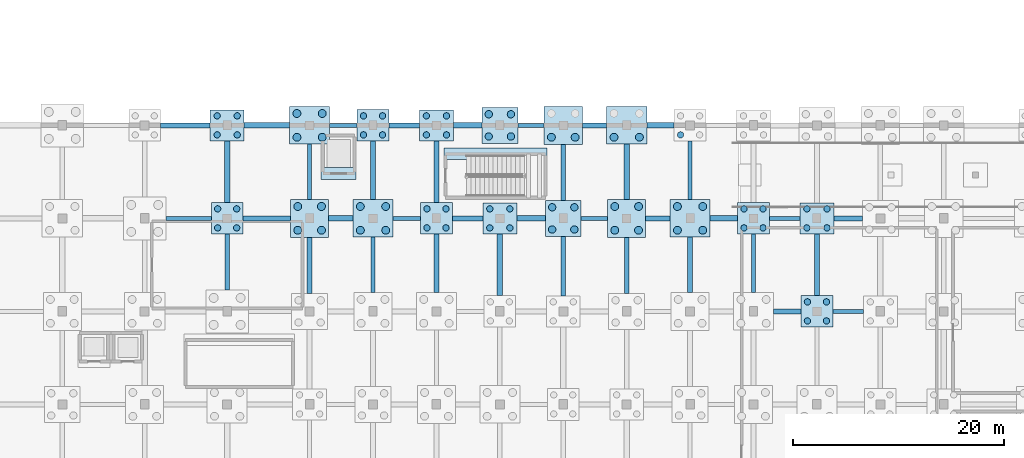
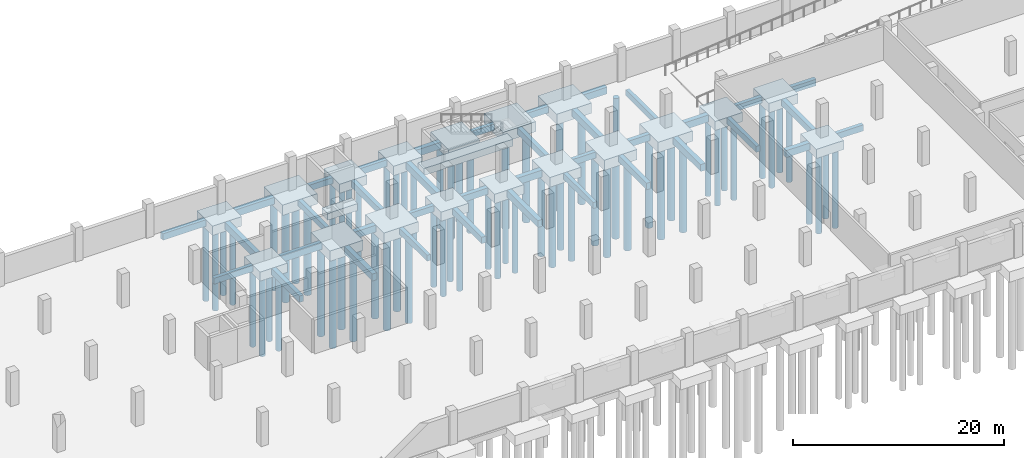
# One storey, part 6 of 28: 69 piles, 58 footings.
"""IFC4 building model written with IfcOpenShell, lengths in metres."""

from ifc_helpers import new_model, si_unit, direction, frame, origin, origin_2d, place, context, subcontext, project, spatial, rectangle, circle, extrude, material, material_profile, profile_set, type_object, element, save


model = new_model("IFC4")

# Units and contexts
model_context = context("Model", 3, precision=1e-05, world=origin(), true_north=direction((0.0, 1.0)))
body_context = subcontext(model_context, "Body", "Model", "MODEL_VIEW")
ifc_project = project(units=[si_unit("LENGTHUNIT", "METRE"), si_unit("AREAUNIT", "SQUARE_METRE"), si_unit("VOLUMEUNIT", "CUBIC_METRE"), si_unit("PLANEANGLEUNIT", "RADIAN"), si_unit("MASSUNIT", "GRAM", prefix="KILO")], contexts=[model_context])

# Site, building, storey
site_placement = place(None, origin())
site = spatial("IfcSite", under=ifc_project, at=site_placement, CompositionType="ELEMENT")
building_placement = place(site_placement, origin())
building = spatial("IfcBuilding", under=site, at=building_placement, Name="Varnakota Cinema and Media Centre", CompositionType="ELEMENT")
storey_placement = place(building_placement, frame((0.0, 0.0, -4.199951171875)))
storey = spatial("IfcBuildingStorey", under=building, at=storey_placement, Name="B1", CompositionType="ELEMENT", Elevation=-4.199951171875)

# Footings
ifc_material_1 = material(Name="Concrete M35", Category="concrete")
ifc_material_profile_1 = material_profile(ifc_material_1, rectangle(XDim=0.39990234375, YDim=0.699951171875, at=origin_2d()), Name="FB 400x700")
ifc_profile_set_1 = profile_set([ifc_material_profile_1], Name="Concrete M35")
footing_type_1 = type_object("IfcFootingType", Name="FB-400x700", PredefinedType="FOOTING_BEAM", material=ifc_profile_set_1)
footing_1_placement = place(storey_placement, frame((124.5, 26.39990234375, -0.60009765625), z_axis=(1.0, 0.0, 0.0), x_axis=(0.0, 1.0, 0.0)))
element("IfcFooting", 1, at=footing_1_placement, inside=storey, type_object=footing_type_1, Name="Foundation tie beam T-U/4", PredefinedType="FOOTING_BEAM", context=body_context, shape_type="SweptSolid", body=[
    extrude(rectangle(XDim=0.39990234375, YDim=0.699951171875, at=origin_2d()), origin(), (0.0, 0.0, 1.0), 2.89990234375),
])
footing_2_placement = place(storey_placement, frame((61.425048828125, 35.199951171875, -0.60009765625), z_axis=(1.0, 0.0, 0.0), x_axis=(0.0, 1.0, 0.0)))
element("IfcFooting", 2, at=footing_2_placement, inside=storey, type_object=footing_type_1, Name="Foundation tie beam H-J/5", PredefinedType="FOOTING_BEAM", context=body_context, shape_type="SweptSolid", body=[
    extrude(rectangle(XDim=0.39990234375, YDim=0.699951171875, at=origin_2d()), origin(), (0.0, 0.0, 1.0), 4.27490234375),
])
footing_3_placement = place(storey_placement, frame((82.89990234375, 35.199951171875, -0.60009765625), z_axis=(1.0, 0.0, 0.0), x_axis=(0.0, 1.0, 0.0)))
element("IfcFooting", 3, at=footing_3_placement, inside=storey, type_object=footing_type_1, Name="Foundation tie beam L-M/5", PredefinedType="FOOTING_BEAM", context=body_context, shape_type="SweptSolid", body=[
    extrude(rectangle(XDim=0.39990234375, YDim=0.699951171875, at=origin_2d()), origin(), (0.0, 0.0, 1.0), 2.60009765625),
])
footing_4_placement = place(storey_placement, frame((100.699951171875, 35.199951171875, -0.60009765625), z_axis=(1.0, 0.0, 0.0), x_axis=(0.0, 1.0, 0.0)))
element("IfcFooting", 4, at=footing_4_placement, inside=storey, type_object=footing_type_1, Name="Foundation tie beam P-Q/5", PredefinedType="FOOTING_BEAM", context=body_context, shape_type="SweptSolid", body=[
    extrude(rectangle(XDim=0.39990234375, YDim=0.699951171875, at=origin_2d()), origin(), (0.0, 0.0, 1.0), 2.5),
])
footing_5_placement = place(storey_placement, frame((118.5, 35.199951171875, -0.60009765625), z_axis=(1.0, 0.0, 0.0), x_axis=(0.0, 1.0, 0.0)))
element("IfcFooting", 5, at=footing_5_placement, inside=storey, type_object=footing_type_1, Name="Foundation tie beam S-T/5", PredefinedType="FOOTING_BEAM", context=body_context, shape_type="SweptSolid", body=[
    extrude(rectangle(XDim=0.39990234375, YDim=0.699951171875, at=origin_2d()), origin(), (0.0, 0.0, 1.0), 2.89990234375),
])
footing_6_placement = place(storey_placement, frame((76.89990234375, 44.0, -0.60009765625), z_axis=(1.0, 0.0, 0.0), x_axis=(0.0, 1.0, 0.0)))
element("IfcFooting", 6, at=footing_6_placement, inside=storey, type_object=footing_type_1, Name="Foundation tie beam K-L/6", PredefinedType="FOOTING_BEAM", context=body_context, shape_type="SweptSolid", body=[
    extrude(rectangle(XDim=0.39990234375, YDim=0.699951171875, at=origin_2d()), origin(), (0.0, 0.0, 1.0), 2.60009765625),
])
footing_7_placement = place(storey_placement, frame((94.699951171875, 44.0, -0.60009765625), z_axis=(1.0, 0.0, 0.0), x_axis=(0.0, 1.0, 0.0)))
element("IfcFooting", 7, at=footing_7_placement, inside=storey, type_object=footing_type_1, Name="Foundation tie beam N-P/6", PredefinedType="FOOTING_BEAM", context=body_context, shape_type="SweptSolid", body=[
    extrude(rectangle(XDim=0.39990234375, YDim=0.699951171875, at=origin_2d()), origin(), (0.0, 0.0, 1.0), 2.5),
])
for number, where, z_axis, x_axis, name in (
    (8, (75.0, 37.0, -0.60009765625), (0.0, 1.0, 0.0), (-1.0, 0.0, 0.0), "Foundation tie beam K/5-6"),
    (9, (81.0, 28.199951171875, -0.60009765625), (0.0, 1.0, 0.0), (-1.0, 0.0, 0.0), "Foundation tie beam L/4-5"),
):
    element("IfcFooting", number, at=place(storey_placement, frame(where, z_axis=z_axis, x_axis=x_axis)), inside=storey, type_object=footing_type_1, Name=name, PredefinedType="FOOTING_BEAM", context=body_context, shape_type="SweptSolid", body=[
        extrude(rectangle(XDim=0.39990234375, YDim=0.699951171875, at=origin_2d()), origin(), (0.0, 0.0, 1.0), 5.22509765625),
    ])
footing_8_placement = place(storey_placement, frame((99.0, 27.875, -0.60009765625), z_axis=(0.0, 1.0, 0.0), x_axis=(-1.0, 0.0, 0.0)))
element("IfcFooting", 10, at=footing_8_placement, inside=storey, type_object=footing_type_1, Name="Foundation tie beam P/4-5", PredefinedType="FOOTING_BEAM", context=body_context, shape_type="SweptSolid", body=[
    extrude(rectangle(XDim=0.39990234375, YDim=0.699951171875, at=origin_2d()), origin(), (0.0, 0.0, 1.0), 5.625),
])
for number, where, z_axis, x_axis, name in (
    (11, (111.0, 36.97509765625, -0.60009765625), (0.0, 1.0, 0.0), (-1.0, 0.0, 0.0), "Foundation tie beam R/5-6"),
    (12, (117.0, 28.175048828125, -0.60009765625), (0.0, 1.0, 0.0), (-1.0, 0.0, 0.0), "Foundation tie beam S/4-5"),
):
    element("IfcFooting", number, at=place(storey_placement, frame(where, z_axis=z_axis, x_axis=x_axis)), inside=storey, type_object=footing_type_1, Name=name, PredefinedType="FOOTING_BEAM", context=body_context, shape_type="SweptSolid", body=[
        extrude(rectangle(XDim=0.39990234375, YDim=0.699951171875, at=origin_2d()), origin(), (0.0, 0.0, 1.0), 5.52490234375),
    ])
ifc_material_2 = material(Name="Concrete M35", Category="concrete")
ifc_material_profile_2 = material_profile(ifc_material_2, rectangle(XDim=0.449951171875, YDim=0.75, at=origin_2d()), Name="FB 450x750")
ifc_profile_set_2 = profile_set([ifc_material_profile_2], Name="Concrete M35")
footing_type_2 = type_object("IfcFootingType", Name="FB-450x750", PredefinedType="FOOTING_BEAM", material=ifc_profile_set_2)
footing_9_placement = place(storey_placement, frame((68.699951171875, 35.199951171875, -0.625), z_axis=(1.0, 0.0, 0.0), x_axis=(0.0, 1.0, 0.0)))
element("IfcFooting", 13, at=footing_9_placement, inside=storey, type_object=footing_type_2, Name="Foundation tie beam J-K/5", PredefinedType="FOOTING_BEAM", context=body_context, shape_type="SweptSolid", body=[
    extrude(rectangle(XDim=0.449951171875, YDim=0.75, at=origin_2d()), origin(), (0.0, 0.0, 1.0), 4.5),
])
footing_10_placement = place(storey_placement, frame((88.5, 35.199951171875, -0.625), z_axis=(1.0, 0.0, 0.0), x_axis=(0.0, 1.0, 0.0)))
element("IfcFooting", 14, at=footing_10_placement, inside=storey, type_object=footing_type_2, Name="Foundation tie beam M-N/5", PredefinedType="FOOTING_BEAM", context=body_context, shape_type="SweptSolid", body=[
    extrude(rectangle(XDim=0.449951171875, YDim=0.75, at=origin_2d()), origin(), (0.0, 0.0, 1.0), 2.89990234375),
])
footing_11_placement = place(storey_placement, frame((106.800048828125, 35.199951171875, -0.625), z_axis=(1.0, 0.0, 0.0), x_axis=(0.0, 1.0, 0.0)))
element("IfcFooting", 15, at=footing_11_placement, inside=storey, type_object=footing_type_2, Name="Foundation tie beam Q-R/5", PredefinedType="FOOTING_BEAM", context=body_context, shape_type="SweptSolid", body=[
    extrude(rectangle(XDim=0.449951171875, YDim=0.75, at=origin_2d()), origin(), (0.0, 0.0, 1.0), 2.300048828125),
])
footing_12_placement = place(storey_placement, frame((124.60009765625, 35.199951171875, -0.625), z_axis=(1.0, 0.0, 0.0), x_axis=(0.0, 1.0, 0.0)))
element("IfcFooting", 16, at=footing_12_placement, inside=storey, type_object=footing_type_2, Name="Foundation tie beam T-U/5", PredefinedType="FOOTING_BEAM", context=body_context, shape_type="SweptSolid", body=[
    extrude(rectangle(XDim=0.449951171875, YDim=0.75, at=origin_2d()), origin(), (0.0, 0.0, 1.0), 2.699951171875),
])
footing_13_placement = place(storey_placement, frame((60.89990234375, 44.0, -0.625), z_axis=(1.0, 0.0, 0.0), x_axis=(0.0, 1.0, 0.0)))
element("IfcFooting", 17, at=footing_13_placement, inside=storey, type_object=footing_type_2, Name="Foundation tie beam H-J/6", PredefinedType="FOOTING_BEAM", context=body_context, shape_type="SweptSolid", body=[
    extrude(rectangle(XDim=0.449951171875, YDim=0.75, at=origin_2d()), origin(), (0.0, 0.0, 1.0), 4.7001953125),
])
footing_14_placement = place(storey_placement, frame((82.5, 44.0, -0.625), z_axis=(1.0, 0.0, 0.0), x_axis=(0.0, 1.0, 0.0)))
element("IfcFooting", 18, at=footing_14_placement, inside=storey, type_object=footing_type_2, Name="Foundation tie beam L-M/6", PredefinedType="FOOTING_BEAM", context=body_context, shape_type="SweptSolid", body=[
    extrude(rectangle(XDim=0.449951171875, YDim=0.75, at=origin_2d()), origin(), (0.0, 0.0, 1.0), 2.89990234375),
])
footing_15_placement = place(storey_placement, frame((100.800048828125, 44.0, -0.625), z_axis=(1.0, 0.0, 0.0), x_axis=(0.0, 1.0, 0.0)))
element("IfcFooting", 19, at=footing_15_placement, inside=storey, type_object=footing_type_2, Name="Foundation tie beam P-Q/6", PredefinedType="FOOTING_BEAM", context=body_context, shape_type="SweptSolid", body=[
    extrude(rectangle(XDim=0.449951171875, YDim=0.75, at=origin_2d()), origin(), (0.0, 0.0, 1.0), 2.300048828125),
])
footing_16_placement = place(storey_placement, frame((67.199951171875, 28.425048828125, -0.625), z_axis=(0.0, 1.0, 0.0), x_axis=(-1.0, 0.0, 0.0)))
element("IfcFooting", 20, at=footing_16_placement, inside=storey, type_object=footing_type_2, Name="Foundation tie beam J/4-5", PredefinedType="FOOTING_BEAM", context=body_context, shape_type="SweptSolid", body=[
    extrude(rectangle(XDim=0.449951171875, YDim=0.75, at=origin_2d()), origin(), (0.0, 0.0, 1.0), 5.27490234375),
])
for number, where, z_axis, x_axis, name in (
    (21, (81.0, 36.97509765625, -0.625), (0.0, 1.0, 0.0), (-1.0, 0.0, 0.0), "Foundation tie beam L/5-6"),
    (22, (87.0, 28.175048828125, -0.625), (0.0, 1.0, 0.0), (-1.0, 0.0, 0.0), "Foundation tie beam M/4-5"),
):
    element("IfcFooting", number, at=place(storey_placement, frame(where, z_axis=z_axis, x_axis=x_axis)), inside=storey, type_object=footing_type_2, Name=name, PredefinedType="FOOTING_BEAM", context=body_context, shape_type="SweptSolid", body=[
        extrude(rectangle(XDim=0.449951171875, YDim=0.75, at=origin_2d()), origin(), (0.0, 0.0, 1.0), 5.52490234375),
    ])
footing_17_placement = place(storey_placement, frame((99.0, 36.89990234375, -0.625), z_axis=(0.0, 1.0, 0.0), x_axis=(-1.0, 0.0, 0.0)))
element("IfcFooting", 23, at=footing_17_placement, inside=storey, type_object=footing_type_2, Name="Foundation tie beam P/5-6", PredefinedType="FOOTING_BEAM", context=body_context, shape_type="SweptSolid", body=[
    extrude(rectangle(XDim=0.449951171875, YDim=0.75, at=origin_2d()), origin(), (0.0, 0.0, 1.0), 5.300048828125),
])
footing_18_placement = place(storey_placement, frame((105.0, 28.10009765625, -0.625), z_axis=(0.0, 1.0, 0.0), x_axis=(-1.0, 0.0, 0.0)))
element("IfcFooting", 24, at=footing_18_placement, inside=storey, type_object=footing_type_2, Name="Foundation tie beam Q/4-5", PredefinedType="FOOTING_BEAM", context=body_context, shape_type="SweptSolid", body=[
    extrude(rectangle(XDim=0.449951171875, YDim=0.75, at=origin_2d()), origin(), (0.0, 0.0, 1.0), 5.2998046875),
])
footing_19_placement = place(storey_placement, frame((123.0, 27.89990234375, -0.625), z_axis=(0.0, 1.0, 0.0), x_axis=(-1.0, 0.0, 0.0)))
element("IfcFooting", 25, at=footing_19_placement, inside=storey, type_object=footing_type_2, Name="Foundation tie beam T/4-5", PredefinedType="FOOTING_BEAM", context=body_context, shape_type="SweptSolid", body=[
    extrude(rectangle(XDim=0.449951171875, YDim=0.75, at=origin_2d()), origin(), (0.0, 0.0, 1.0), 5.8251953125),
])
ifc_material_3 = material(Name="Concrete M35", Category="concrete")
ifc_material_profile_3 = material_profile(ifc_material_3, rectangle(XDim=0.5, YDim=0.800048828125, at=origin_2d()), Name="FB 500x800")
ifc_profile_set_3 = profile_set([ifc_material_profile_3], Name="Concrete M35")
footing_type_3 = type_object("IfcFootingType", Name="FB-500x800", PredefinedType="FOOTING_BEAM", material=ifc_profile_set_3)
footing_20_placement = place(storey_placement, frame((118.89990234375, 26.39990234375, -0.650146484375), z_axis=(1.0, 0.0, 0.0), x_axis=(0.0, 1.0, 0.0)))
element("IfcFooting", 26, at=footing_20_placement, inside=storey, type_object=footing_type_3, Name="Foundation tie beam S-T/4", PredefinedType="FOOTING_BEAM", context=body_context, shape_type="SweptSolid", body=[
    extrude(rectangle(XDim=0.5, YDim=0.800048828125, at=origin_2d()), origin(), (0.0, 0.0, 1.0), 2.60009765625),
])
footing_21_placement = place(storey_placement, frame((76.800048828125, 35.199951171875, -0.650146484375), z_axis=(1.0, 0.0, 0.0), x_axis=(0.0, 1.0, 0.0)))
element("IfcFooting", 27, at=footing_21_placement, inside=storey, type_object=footing_type_3, Name="Foundation tie beam K-L/5", PredefinedType="FOOTING_BEAM", context=body_context, shape_type="SweptSolid", body=[
    extrude(rectangle(XDim=0.5, YDim=0.800048828125, at=origin_2d()), origin(), (0.0, 0.0, 1.0), 2.300048828125),
])
footing_22_placement = place(storey_placement, frame((94.60009765625, 35.199951171875, -0.650146484375), z_axis=(1.0, 0.0, 0.0), x_axis=(0.0, 1.0, 0.0)))
element("IfcFooting", 28, at=footing_22_placement, inside=storey, type_object=footing_type_3, Name="Foundation tie beam N-P/5", PredefinedType="FOOTING_BEAM", context=body_context, shape_type="SweptSolid", body=[
    extrude(rectangle(XDim=0.5, YDim=0.800048828125, at=origin_2d()), origin(), (0.0, 0.0, 1.0), 2.699951171875),
])
footing_23_placement = place(storey_placement, frame((112.89990234375, 35.199951171875, -0.650146484375), z_axis=(1.0, 0.0, 0.0), x_axis=(0.0, 1.0, 0.0)))
element("IfcFooting", 29, at=footing_23_placement, inside=storey, type_object=footing_type_3, Name="Foundation tie beam R-S/5", PredefinedType="FOOTING_BEAM", context=body_context, shape_type="SweptSolid", body=[
    extrude(rectangle(XDim=0.5, YDim=0.800048828125, at=origin_2d()), origin(), (0.0, 0.0, 1.0), 2.60009765625),
])
footing_24_placement = place(storey_placement, frame((68.800048828125, 44.0, -0.650146484375), z_axis=(1.0, 0.0, 0.0), x_axis=(0.0, 1.0, 0.0)))
element("IfcFooting", 30, at=footing_24_placement, inside=storey, type_object=footing_type_3, Name="Foundation tie beam J-K/6", PredefinedType="FOOTING_BEAM", context=body_context, shape_type="SweptSolid", body=[
    extrude(rectangle(XDim=0.5, YDim=0.800048828125, at=origin_2d()), origin(), (0.0, 0.0, 1.0), 4.300048828125),
])
footing_25_placement = place(storey_placement, frame((88.60009765625, 44.0, -0.650146484375), z_axis=(1.0, 0.0, 0.0), x_axis=(0.0, 1.0, 0.0)))
element("IfcFooting", 31, at=footing_25_placement, inside=storey, type_object=footing_type_3, Name="Foundation tie beam M-N/6", PredefinedType="FOOTING_BEAM", context=body_context, shape_type="SweptSolid", body=[
    extrude(rectangle(XDim=0.5, YDim=0.800048828125, at=origin_2d()), origin(), (0.0, 0.0, 1.0), 2.699951171875),
])
footing_26_placement = place(storey_placement, frame((106.89990234375, 44.0, -0.650146484375), z_axis=(1.0, 0.0, 0.0), x_axis=(0.0, 1.0, 0.0)))
element("IfcFooting", 32, at=footing_26_placement, inside=storey, type_object=footing_type_3, Name="Foundation tie beam Q-R/6", PredefinedType="FOOTING_BEAM", context=body_context, shape_type="SweptSolid", body=[
    extrude(rectangle(XDim=0.5, YDim=0.800048828125, at=origin_2d()), origin(), (0.0, 0.0, 1.0), 2.60009765625),
])
footing_27_placement = place(storey_placement, frame((67.199951171875, 36.699951171875, -0.650146484375), z_axis=(0.0, 1.0, 0.0), x_axis=(-1.0, 0.0, 0.0)))
element("IfcFooting", 33, at=footing_27_placement, inside=storey, type_object=footing_type_3, Name="Foundation tie beam J/5-6", PredefinedType="FOOTING_BEAM", context=body_context, shape_type="SweptSolid", body=[
    extrude(rectangle(XDim=0.5, YDim=0.800048828125, at=origin_2d()), origin(), (0.0, 0.0, 1.0), 5.824951171875),
])
footing_28_placement = place(storey_placement, frame((75.0, 28.10009765625, -0.650146484375), z_axis=(0.0, 1.0, 0.0), x_axis=(-1.0, 0.0, 0.0)))
element("IfcFooting", 34, at=footing_28_placement, inside=storey, type_object=footing_type_3, Name="Foundation tie beam K/4-5", PredefinedType="FOOTING_BEAM", context=body_context, shape_type="SweptSolid", body=[
    extrude(rectangle(XDim=0.5, YDim=0.800048828125, at=origin_2d()), origin(), (0.0, 0.0, 1.0), 5.2998046875),
])
footing_29_placement = place(storey_placement, frame((87.0, 36.699951171875, -0.650146484375), z_axis=(0.0, 1.0, 0.0), x_axis=(-1.0, 0.0, 0.0)))
element("IfcFooting", 35, at=footing_29_placement, inside=storey, type_object=footing_type_3, Name="Foundation tie beam M/5-6", PredefinedType="FOOTING_BEAM", context=body_context, shape_type="SweptSolid", body=[
    extrude(rectangle(XDim=0.5, YDim=0.800048828125, at=origin_2d()), origin(), (0.0, 0.0, 1.0), 5.824951171875),
])
footing_30_placement = place(storey_placement, frame((93.0, 27.89990234375, -0.650146484375), z_axis=(0.0, 1.0, 0.0), x_axis=(-1.0, 0.0, 0.0)))
element("IfcFooting", 36, at=footing_30_placement, inside=storey, type_object=footing_type_3, Name="Foundation tie beam N/4-5", PredefinedType="FOOTING_BEAM", context=body_context, shape_type="SweptSolid", body=[
    extrude(rectangle(XDim=0.5, YDim=0.800048828125, at=origin_2d()), origin(), (0.0, 0.0, 1.0), 5.8251953125),
])
for number, where, z_axis, x_axis, name in (
    (37, (105.0, 37.0, -0.650146484375), (0.0, 1.0, 0.0), (-1.0, 0.0, 0.0), "Foundation tie beam Q/5-6"),
    (38, (111.0, 28.199951171875, -0.650146484375), (0.0, 1.0, 0.0), (-1.0, 0.0, 0.0), "Foundation tie beam R/4-5"),
):
    element("IfcFooting", number, at=place(storey_placement, frame(where, z_axis=z_axis, x_axis=x_axis)), inside=storey, type_object=footing_type_3, Name=name, PredefinedType="FOOTING_BEAM", context=body_context, shape_type="SweptSolid", body=[
        extrude(rectangle(XDim=0.5, YDim=0.800048828125, at=origin_2d()), origin(), (0.0, 0.0, 1.0), 5.22509765625),
    ])
ifc_material_4 = material(Name="Concrete M35", Category="concrete")
footing_type_4 = type_object("IfcFootingType", Name="PC-4P-600", PredefinedType="PILE_CAP", material=ifc_material_4)
for number, where, z_axis, x_axis, name in (
    (39, (67.199951171875, 35.199951171875, -1.30029296875), (0.0, 0.0, 1.0), (1.0, 0.0, 0.0), "Pile cap J/5"),
    (40, (81.0, 44.0, -1.30029296875), (0.0, 0.0, 1.0), (1.0, 0.0, 0.0), "Pile cap L/6"),
    (41, (87.0, 35.199951171875, -1.30029296875), (0.0, 0.0, 1.0), (1.0, 0.0, 0.0), "Pile cap M/5"),
    (42, (117.0, 35.199951171875, -1.30029296875), (0.0, 0.0, 1.0), (1.0, 0.0, 0.0), "Pile cap S/5"),
    (43, (123.0, 26.39990234375, -1.30029296875), (0.0, 0.0, 1.0), (1.0, 0.0, 0.0), "Pile cap T/4"),
):
    element("IfcFooting", number, at=place(storey_placement, frame(where, z_axis=z_axis, x_axis=x_axis)), inside=storey, type_object=footing_type_4, Name=name, PredefinedType="PILE_CAP", context=body_context, shape_type="SweptSolid", body=[
        extrude(rectangle(XDim=3.0, YDim=3.0, at=origin_2d()), origin(), (0.0, 0.0, 1.0), 1.050048828125),
    ])
ifc_material_5 = material(Name="Concrete M35", Category="concrete")
footing_type_5 = type_object("IfcFootingType", Name="PC-4P-600R", PredefinedType="PILE_CAP", material=ifc_material_5)
for number, where, z_axis, x_axis, name in (
    (44, (67.199951171875, 44.0, -1.330078125), (0.0, 0.0, 1.0), (1.0, 0.0, 0.0), "Pile cap J/6"),
    (45, (87.0, 44.0, -1.330078125), (0.0, 0.0, 1.0), (1.0, 0.0, 0.0), "Pile cap M/6"),
    (46, (93.0, 35.199951171875, -1.330078125), (0.0, 0.0, 1.0), (1.0, 0.0, 0.0), "Pile cap N/5"),
    (47, (123.0, 35.199951171875, -1.330078125), (0.0, 0.0, 1.0), (1.0, 0.0, 0.0), "Pile cap T/5"),
):
    element("IfcFooting", number, at=place(storey_placement, frame(where, z_axis=z_axis, x_axis=x_axis)), inside=storey, type_object=footing_type_5, Name=name, PredefinedType="PILE_CAP", context=body_context, shape_type="SweptSolid", body=[
        extrude(rectangle(XDim=3.199951171875, YDim=2.949951171875, at=origin_2d()), origin(), (0.0, 0.0, 1.0), 1.080078125),
    ])
ifc_material_6 = material(Name="Concrete M35", Category="concrete")
footing_type_6 = type_object("IfcFootingType", Name="PC-4P-700", PredefinedType="PILE_CAP", material=ifc_material_6)
for number, where, z_axis, x_axis, name in (
    (48, (93.0, 44.0, -1.3701171875), (0.0, 0.0, 1.0), (1.0, 0.0, 0.0), "Pile cap N/6"),
    (49, (99.0, 35.199951171875, -1.3701171875), (0.0, 0.0, 1.0), (1.0, 0.0, 0.0), "Pile cap P/5"),
):
    element("IfcFooting", number, at=place(storey_placement, frame(where, z_axis=z_axis, x_axis=x_axis)), inside=storey, type_object=footing_type_6, Name=name, PredefinedType="PILE_CAP", context=body_context, shape_type="SweptSolid", body=[
        extrude(rectangle(XDim=3.39990234375, YDim=3.39990234375, at=origin_2d()), origin(), (0.0, 0.0, 1.0), 1.1201171875),
    ])
ifc_material_7 = material(Name="Concrete M35", Category="concrete")
footing_type_7 = type_object("IfcFootingType", Name="PC-4P-750", PredefinedType="PILE_CAP", material=ifc_material_7)
for number, where, z_axis, x_axis, name in (
    (50, (75.0, 35.199951171875, -1.43017578125), (0.0, 0.0, 1.0), (1.0, 0.0, 0.0), "Pile cap K/5"),
    (51, (99.0, 44.0, -1.43017578125), (0.0, 0.0, 1.0), (1.0, 0.0, 0.0), "Pile cap P/6"),
    (52, (105.0, 35.199951171875, -1.43017578125), (0.0, 0.0, 1.0), (1.0, 0.0, 0.0), "Pile cap Q/5"),
):
    element("IfcFooting", number, at=place(storey_placement, frame(where, z_axis=z_axis, x_axis=x_axis)), inside=storey, type_object=footing_type_7, Name=name, PredefinedType="PILE_CAP", context=body_context, shape_type="SweptSolid", body=[
        extrude(rectangle(XDim=3.60009765625, YDim=3.60009765625, at=origin_2d()), origin(), (0.0, 0.0, 1.0), 1.179931640625),
    ])
ifc_material_8 = material(Name="Concrete M35", Category="concrete")
footing_type_8 = type_object("IfcFootingType", Name="PC-4P-750R", PredefinedType="PILE_CAP", material=ifc_material_8)
for number, where, z_axis, x_axis, name in (
    (53, (75.0, 44.0, -1.4501953125), (0.0, 0.0, 1.0), (1.0, 0.0, 0.0), "Pile cap K/6"),
    (54, (81.0, 35.199951171875, -1.4501953125), (0.0, 0.0, 1.0), (1.0, 0.0, 0.0), "Pile cap L/5"),
    (55, (105.0, 44.0, -1.4501953125), (0.0, 0.0, 1.0), (1.0, 0.0, 0.0), "Pile cap Q/6"),
    (56, (111.0, 35.199951171875, -1.4501953125), (0.0, 0.0, 1.0), (1.0, 0.0, 0.0), "Pile cap R/5"),
):
    element("IfcFooting", number, at=place(storey_placement, frame(where, z_axis=z_axis, x_axis=x_axis)), inside=storey, type_object=footing_type_8, Name=name, PredefinedType="PILE_CAP", context=body_context, shape_type="SweptSolid", body=[
        extrude(rectangle(XDim=3.800048828125, YDim=3.550048828125, at=origin_2d()), origin(), (0.0, 0.0, 1.0), 1.199951171875),
    ])

# Piles
ifc_material_9 = material(Name="Concrete M35", Category="concrete")
ifc_material_profile_4 = material_profile(ifc_material_9, circle(Radius=0.300048828125, at=origin_2d()), Name="PILE D600")
ifc_profile_set_4 = profile_set([ifc_material_profile_4], Name="Concrete M35")
pile_type_1 = type_object("IfcPileType", Name="PILE-D600", PredefinedType="BORED", material=ifc_profile_set_4)
for number, where, z_axis, x_axis, name in (
    (57, (66.300048828125, 34.300048828125, -1.199951171875), (0.0, 0.0, -1.0), (1.0, 0.0, 0.0), "Bored pile J/5-1"),
    (58, (68.10009765625, 34.300048828125, -1.199951171875), (0.0, 0.0, -1.0), (1.0, 0.0, 0.0), "Bored pile J/5-2"),
    (59, (66.300048828125, 36.10009765625, -1.199951171875), (0.0, 0.0, -1.0), (1.0, 0.0, 0.0), "Bored pile J/5-3"),
    (60, (68.10009765625, 36.10009765625, -1.199951171875), (0.0, 0.0, -1.0), (1.0, 0.0, 0.0), "Bored pile J/5-4"),
    (61, (66.25, 43.10009765625, -1.22998046875), (0.0, 0.0, -1.0), (1.0, 0.0, 0.0), "Bored pile J/6-1"),
    (62, (68.14990234375, 43.10009765625, -1.22998046875), (0.0, 0.0, -1.0), (1.0, 0.0, 0.0), "Bored pile J/6-2"),
    (63, (66.25, 44.89990234375, -1.22998046875), (0.0, 0.0, -1.0), (1.0, 0.0, 0.0), "Bored pile J/6-3"),
    (64, (68.14990234375, 44.89990234375, -1.22998046875), (0.0, 0.0, -1.0), (1.0, 0.0, 0.0), "Bored pile J/6-4"),
    (65, (80.10009765625, 43.10009765625, -1.199951171875), (0.0, 0.0, -1.0), (1.0, 0.0, 0.0), "Bored pile L/6-1"),
    (66, (81.89990234375, 43.10009765625, -1.199951171875), (0.0, 0.0, -1.0), (1.0, 0.0, 0.0), "Bored pile L/6-2"),
    (67, (80.10009765625, 44.89990234375, -1.199951171875), (0.0, 0.0, -1.0), (1.0, 0.0, 0.0), "Bored pile L/6-3"),
    (68, (81.89990234375, 44.89990234375, -1.199951171875), (0.0, 0.0, -1.0), (1.0, 0.0, 0.0), "Bored pile L/6-4"),
    (69, (86.10009765625, 34.300048828125, -1.199951171875), (0.0, 0.0, -1.0), (1.0, 0.0, 0.0), "Bored pile M/5-1"),
    (70, (87.89990234375, 34.300048828125, -1.199951171875), (0.0, 0.0, -1.0), (1.0, 0.0, 0.0), "Bored pile M/5-2"),
    (71, (86.10009765625, 36.10009765625, -1.199951171875), (0.0, 0.0, -1.0), (1.0, 0.0, 0.0), "Bored pile M/5-3"),
    (72, (87.89990234375, 36.10009765625, -1.199951171875), (0.0, 0.0, -1.0), (1.0, 0.0, 0.0), "Bored pile M/5-4"),
    (73, (86.050048828125, 43.10009765625, -1.22998046875), (0.0, 0.0, -1.0), (1.0, 0.0, 0.0), "Bored pile M/6-1"),
    (74, (87.949951171875, 43.10009765625, -1.22998046875), (0.0, 0.0, -1.0), (1.0, 0.0, 0.0), "Bored pile M/6-2"),
    (75, (86.050048828125, 44.89990234375, -1.22998046875), (0.0, 0.0, -1.0), (1.0, 0.0, 0.0), "Bored pile M/6-3"),
    (76, (87.949951171875, 44.89990234375, -1.22998046875), (0.0, 0.0, -1.0), (1.0, 0.0, 0.0), "Bored pile M/6-4"),
    (77, (92.050048828125, 34.300048828125, -1.22998046875), (0.0, 0.0, -1.0), (1.0, 0.0, 0.0), "Bored pile N/5-1"),
    (78, (93.949951171875, 34.300048828125, -1.22998046875), (0.0, 0.0, -1.0), (1.0, 0.0, 0.0), "Bored pile N/5-2"),
    (79, (92.050048828125, 36.10009765625, -1.22998046875), (0.0, 0.0, -1.0), (1.0, 0.0, 0.0), "Bored pile N/5-3"),
    (80, (93.949951171875, 36.10009765625, -1.22998046875), (0.0, 0.0, -1.0), (1.0, 0.0, 0.0), "Bored pile N/5-4"),
    (81, (110.10009765625, 43.10009765625, -1.199951171875), (0.0, 0.0, -1.0), (1.0, 0.0, 0.0), "Bored pile R/6-1"),
    (82, (116.10009765625, 34.300048828125, -1.199951171875), (0.0, 0.0, -1.0), (1.0, 0.0, 0.0), "Bored pile S/5-1"),
    (83, (117.89990234375, 34.300048828125, -1.199951171875), (0.0, 0.0, -1.0), (1.0, 0.0, 0.0), "Bored pile S/5-2"),
    (84, (116.10009765625, 36.10009765625, -1.199951171875), (0.0, 0.0, -1.0), (1.0, 0.0, 0.0), "Bored pile S/5-3"),
    (85, (117.89990234375, 36.10009765625, -1.199951171875), (0.0, 0.0, -1.0), (1.0, 0.0, 0.0), "Bored pile S/5-4"),
    (86, (122.10009765625, 25.5, -1.199951171875), (0.0, 0.0, -1.0), (1.0, 0.0, 0.0), "Bored pile T/4-1"),
    (87, (123.89990234375, 25.5, -1.199951171875), (0.0, 0.0, -1.0), (1.0, 0.0, 0.0), "Bored pile T/4-2"),
    (88, (122.10009765625, 27.300048828125, -1.199951171875), (0.0, 0.0, -1.0), (1.0, 0.0, 0.0), "Bored pile T/4-3"),
    (89, (123.89990234375, 27.300048828125, -1.199951171875), (0.0, 0.0, -1.0), (1.0, 0.0, 0.0), "Bored pile T/4-4"),
    (90, (122.050048828125, 34.300048828125, -1.22998046875), (0.0, 0.0, -1.0), (1.0, 0.0, 0.0), "Bored pile T/5-1"),
    (91, (123.949951171875, 34.300048828125, -1.22998046875), (0.0, 0.0, -1.0), (1.0, 0.0, 0.0), "Bored pile T/5-2"),
    (92, (122.050048828125, 36.10009765625, -1.22998046875), (0.0, 0.0, -1.0), (1.0, 0.0, 0.0), "Bored pile T/5-3"),
    (93, (123.949951171875, 36.10009765625, -1.22998046875), (0.0, 0.0, -1.0), (1.0, 0.0, 0.0), "Bored pile T/5-4"),
):
    element("IfcPile", number, at=place(storey_placement, frame(where, z_axis=z_axis, x_axis=x_axis)), inside=storey, type_object=pile_type_1, Name=name, PredefinedType="BORED", context=body_context, shape_type="SweptSolid", body=[
        extrude(circle(Radius=0.300048828125, at=origin_2d()), origin(), (0.0, 0.0, 1.0), 9.199951171875),
    ])
ifc_material_10 = material(Name="Concrete M35", Category="concrete")
ifc_material_profile_5 = material_profile(ifc_material_10, circle(Radius=0.35009765625, at=origin_2d()), Name="PILE D700")
ifc_profile_set_5 = profile_set([ifc_material_profile_5], Name="Concrete M35")
pile_type_2 = type_object("IfcPileType", Name="PILE-D700", PredefinedType="BORED", material=ifc_profile_set_5)
for number, where, z_axis, x_axis, name in (
    (94, (91.949951171875, 42.949951171875, -1.27001953125), (0.0, 0.0, -1.0), (1.0, 0.0, 0.0), "Bored pile N/6-1"),
    (95, (94.050048828125, 42.949951171875, -1.27001953125), (0.0, 0.0, -1.0), (1.0, 0.0, 0.0), "Bored pile N/6-2"),
    (96, (91.949951171875, 45.050048828125, -1.27001953125), (0.0, 0.0, -1.0), (1.0, 0.0, 0.0), "Bored pile N/6-3"),
    (97, (94.050048828125, 45.050048828125, -1.27001953125), (0.0, 0.0, -1.0), (1.0, 0.0, 0.0), "Bored pile N/6-4"),
    (98, (97.949951171875, 34.14990234375, -1.27001953125), (0.0, 0.0, -1.0), (1.0, 0.0, 0.0), "Bored pile P/5-1"),
    (99, (100.050048828125, 34.14990234375, -1.27001953125), (0.0, 0.0, -1.0), (1.0, 0.0, 0.0), "Bored pile P/5-2"),
    (100, (97.949951171875, 36.25, -1.27001953125), (0.0, 0.0, -1.0), (1.0, 0.0, 0.0), "Bored pile P/5-3"),
    (101, (100.050048828125, 36.25, -1.27001953125), (0.0, 0.0, -1.0), (1.0, 0.0, 0.0), "Bored pile P/5-4"),
):
    element("IfcPile", number, at=place(storey_placement, frame(where, z_axis=z_axis, x_axis=x_axis)), inside=storey, type_object=pile_type_2, Name=name, PredefinedType="BORED", context=body_context, shape_type="SweptSolid", body=[
        extrude(circle(Radius=0.35009765625, at=origin_2d()), origin(), (0.0, 0.0, 1.0), 9.800048828125),
    ])
ifc_material_11 = material(Name="Concrete M35", Category="concrete")
ifc_material_profile_6 = material_profile(ifc_material_11, circle(Radius=0.375, at=origin_2d()), Name="PILE D750")
ifc_profile_set_6 = profile_set([ifc_material_profile_6], Name="Concrete M35")
pile_type_3 = type_object("IfcPileType", Name="PILE-D750", PredefinedType="BORED", material=ifc_profile_set_6)
for number, where, z_axis, x_axis, name in (
    (102, (73.875, 34.074951171875, -1.330078125), (0.0, 0.0, -1.0), (1.0, 0.0, 0.0), "Bored pile K/5-1"),
    (103, (76.125, 34.074951171875, -1.330078125), (0.0, 0.0, -1.0), (1.0, 0.0, 0.0), "Bored pile K/5-2"),
    (104, (73.875, 36.324951171875, -1.330078125), (0.0, 0.0, -1.0), (1.0, 0.0, 0.0), "Bored pile K/5-3"),
    (105, (76.125, 36.324951171875, -1.330078125), (0.0, 0.0, -1.0), (1.0, 0.0, 0.0), "Bored pile K/5-4"),
    (106, (73.800048828125, 42.875, -1.35009765625), (0.0, 0.0, -1.0), (1.0, 0.0, 0.0), "Bored pile K/6-1"),
    (107, (76.199951171875, 42.875, -1.35009765625), (0.0, 0.0, -1.0), (1.0, 0.0, 0.0), "Bored pile K/6-2"),
    (108, (73.800048828125, 45.125, -1.35009765625), (0.0, 0.0, -1.0), (1.0, 0.0, 0.0), "Bored pile K/6-3"),
    (109, (76.199951171875, 45.125, -1.35009765625), (0.0, 0.0, -1.0), (1.0, 0.0, 0.0), "Bored pile K/6-4"),
    (110, (79.800048828125, 34.074951171875, -1.35009765625), (0.0, 0.0, -1.0), (1.0, 0.0, 0.0), "Bored pile L/5-1"),
    (111, (82.199951171875, 34.074951171875, -1.35009765625), (0.0, 0.0, -1.0), (1.0, 0.0, 0.0), "Bored pile L/5-2"),
    (112, (79.800048828125, 36.324951171875, -1.35009765625), (0.0, 0.0, -1.0), (1.0, 0.0, 0.0), "Bored pile L/5-3"),
    (113, (82.199951171875, 36.324951171875, -1.35009765625), (0.0, 0.0, -1.0), (1.0, 0.0, 0.0), "Bored pile L/5-4"),
    (114, (97.875, 42.875, -1.330078125), (0.0, 0.0, -1.0), (1.0, 0.0, 0.0), "Bored pile P/6-1"),
    (115, (100.125, 42.875, -1.330078125), (0.0, 0.0, -1.0), (1.0, 0.0, 0.0), "Bored pile P/6-2"),
    (116, (103.875, 34.074951171875, -1.330078125), (0.0, 0.0, -1.0), (1.0, 0.0, 0.0), "Bored pile Q/5-1"),
    (117, (106.125, 34.074951171875, -1.330078125), (0.0, 0.0, -1.0), (1.0, 0.0, 0.0), "Bored pile Q/5-2"),
    (118, (103.875, 36.324951171875, -1.330078125), (0.0, 0.0, -1.0), (1.0, 0.0, 0.0), "Bored pile Q/5-3"),
    (119, (106.125, 36.324951171875, -1.330078125), (0.0, 0.0, -1.0), (1.0, 0.0, 0.0), "Bored pile Q/5-4"),
    (120, (103.800048828125, 42.875, -1.35009765625), (0.0, 0.0, -1.0), (1.0, 0.0, 0.0), "Bored pile Q/6-1"),
    (121, (106.199951171875, 42.875, -1.35009765625), (0.0, 0.0, -1.0), (1.0, 0.0, 0.0), "Bored pile Q/6-2"),
    (122, (109.800048828125, 34.074951171875, -1.35009765625), (0.0, 0.0, -1.0), (1.0, 0.0, 0.0), "Bored pile R/5-1"),
    (123, (112.199951171875, 34.074951171875, -1.35009765625), (0.0, 0.0, -1.0), (1.0, 0.0, 0.0), "Bored pile R/5-2"),
    (124, (109.800048828125, 36.324951171875, -1.35009765625), (0.0, 0.0, -1.0), (1.0, 0.0, 0.0), "Bored pile R/5-3"),
    (125, (112.199951171875, 36.324951171875, -1.35009765625), (0.0, 0.0, -1.0), (1.0, 0.0, 0.0), "Bored pile R/5-4"),
):
    element("IfcPile", number, at=place(storey_placement, frame(where, z_axis=z_axis, x_axis=x_axis)), inside=storey, type_object=pile_type_3, Name=name, PredefinedType="BORED", context=body_context, shape_type="SweptSolid", body=[
        extrude(circle(Radius=0.375, at=origin_2d()), origin(), (0.0, 0.0, 1.0), 10.60009765625),
    ])

# Footings
ifc_material_12 = material(Name="Concrete M35", Category="concrete")
ifc_material_profile_7 = material_profile(ifc_material_12, rectangle(XDim=1.10009765625, YDim=0.800048828125, at=origin_2d()), Name="SF 1100x800")
ifc_profile_set_7 = profile_set([ifc_material_profile_7], Name="Concrete M35")
footing_type_9 = type_object("IfcFootingType", Name="SF-CORE-1100x800", PredefinedType="STRIP_FOOTING", material=ifc_profile_set_7)
footing_31_placement = place(storey_placement, frame((87.699951171875, 41.300048828125, -0.650146484375), z_axis=(1.0, 0.0, 0.0), x_axis=(0.0, 1.0, 0.0)))
element("IfcFooting", 126, at=footing_31_placement, inside=storey, type_object=footing_type_9, Name="Core strip footing ST-B2 N", PredefinedType="STRIP_FOOTING", context=body_context, shape_type="SweptSolid", body=[
    extrude(rectangle(XDim=1.10009765625, YDim=0.800048828125, at=origin_2d()), origin(), (0.0, 0.0, 1.0), 9.760009765625),
])
footing_32_placement = place(storey_placement, frame((76.10009765625, 39.449951171875, -0.650146484375), z_axis=(1.0, 0.0, 0.0), x_axis=(0.0, 1.0, 0.0)))
element("IfcFooting", 127, at=footing_32_placement, inside=storey, type_object=footing_type_9, Name="Core strip footing LF-08 S", PredefinedType="STRIP_FOOTING", context=body_context, shape_type="SweptSolid", body=[
    extrude(rectangle(XDim=1.10009765625, YDim=0.800048828125, at=origin_2d()), origin(), (0.0, 0.0, 1.0), 3.2998046875),
])

save(model, "model.ifc")
